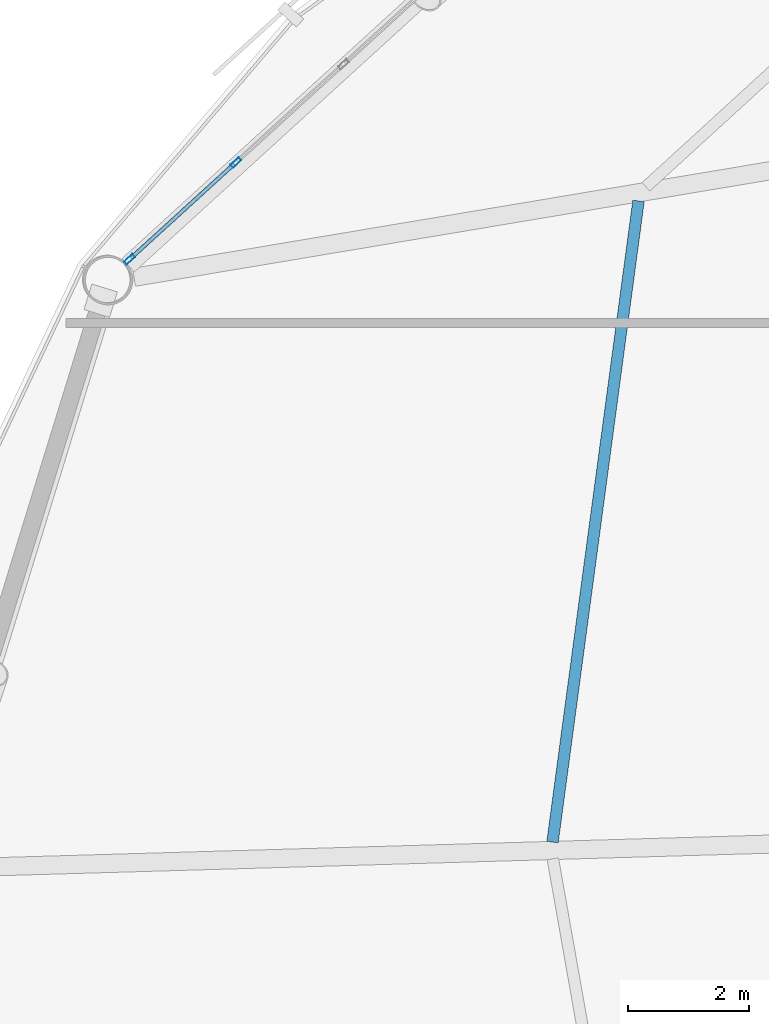
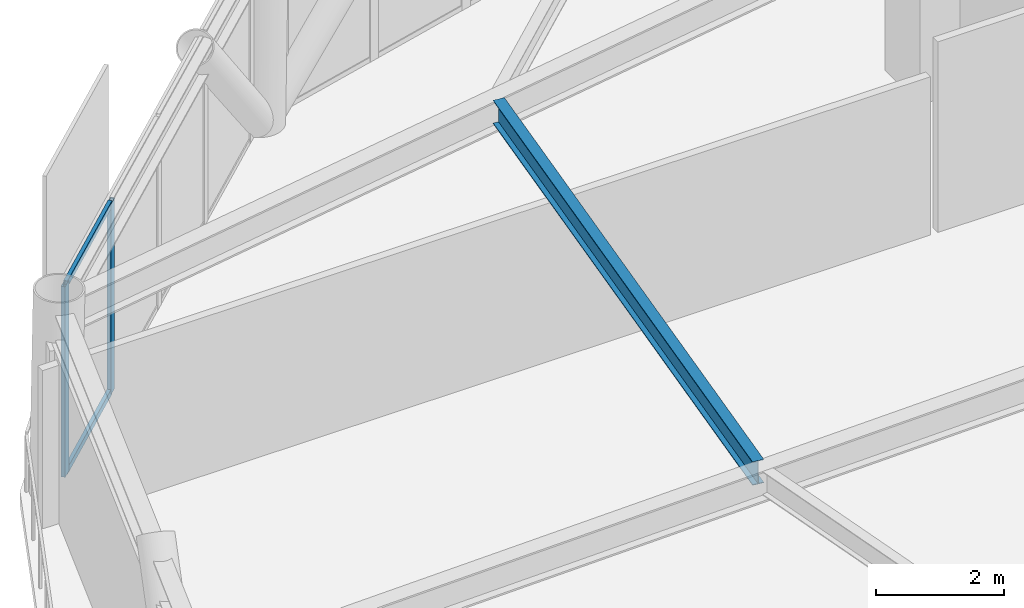
# One storey, part 10 of 24: 4 members, 1 beam, 1 element without a shape of its own.
"""IFC4 building model written with IfcOpenShell, lengths in metres."""

from ifc_helpers import new_model, si_unit, direction, frame, origin, origin_2d, place, context, subcontext, project, spatial, hollow_rectangle, i_section, extrude, material, layer, layer_set, material_profile, profile_set, type_object, element, aggregate, save


model = new_model("IFC4")

# Units and contexts
model_context = context("Model", 3, precision=1e-05, world=origin(), true_north=direction((0.0, 1.0)))
body_context = subcontext(model_context, "Body", "Model", "MODEL_VIEW")
ifc_project = project(units=[si_unit("LENGTHUNIT", "METRE"), si_unit("AREAUNIT", "SQUARE_METRE"), si_unit("VOLUMEUNIT", "CUBIC_METRE"), si_unit("PLANEANGLEUNIT", "RADIAN"), si_unit("MASSUNIT", "GRAM", prefix="KILO")], contexts=[model_context])

# Site, building, storey
site_placement = place(None, origin())
site = spatial("IfcSite", under=ifc_project, at=site_placement, CompositionType="ELEMENT")
building_placement = place(site_placement, origin())
building = spatial("IfcBuilding", under=site, at=building_placement, Name="Varnakorn Sky Granary", CompositionType="ELEMENT")
storey_placement = place(building_placement, frame((0.0, 0.0, 111.0)))
storey = spatial("IfcBuildingStorey", under=building, at=storey_placement, Name="L27", CompositionType="ELEMENT", Elevation=111.0)

# Beam
ifc_material_1 = material(Name="Steel S355JR", Category="steel")
ifc_material_profile_1 = material_profile(ifc_material_1, i_section(OverallWidth=0.18994140625, OverallDepth=0.449951171875, WebThickness=0.009521484375, FlangeThickness=0.0146484375, at=origin_2d()), Name="IPE 450")
ifc_profile_set_1 = profile_set([ifc_material_profile_1], Name="Steel S355JR")
beam_type = type_object("IfcBeamType", Name="BM-SEC-Z2", PredefinedType="BEAM", material=ifc_profile_set_1)
beam_placement = place(storey_placement, frame((-11.193359375, 11.014404296875, 3.4150390625), z_axis=(-0.132950459792, -0.991122684253, 0.0), x_axis=(0.991122684253, -0.132950459792, 0.0)))
element("IfcBeam", 1, at=beam_placement, inside=storey, type_object=beam_type, Name="Secondary Floor Chord Beam MSB06 L27", PredefinedType="BEAM", context=body_context, shape_type="SweptSolid", body=[
    extrude(i_section(OverallWidth=0.18994140625, OverallDepth=0.449951171875, WebThickness=0.009521484375, FlangeThickness=0.0146484375, at=origin_2d()), origin(), (0.0, 0.0, 1.0), 10.6708984375),
])

# Curtain wall, members
ifc_material_2 = material(Name="Anodised Bronze Aluminium Alloy 6063-T6", Category="aluminium")
ifc_layer = layer(ifc_material_2, 0.179931640625, Name="Anodised Bronze Aluminium Alloy 6063-T6")
ifc_layer_set = layer_set([ifc_layer], Name="Anodised Bronze Aluminium Alloy 6063-T6")
curtain_wall_type = type_object("IfcCurtainWallType", Name="CW-FRM-2", PredefinedType="USERDEFINED", material=ifc_layer_set)
curtain_wall_placement = place(storey_placement, origin())
curtain_wall = element("IfcCurtainWall", 2, at=curtain_wall_placement, inside=storey, type_object=curtain_wall_type, Name="Unitised Curtain Wall CW4 CW-L27-B05", ObjectType="CURTAIN WALL", PredefinedType="USERDEFINED")
ifc_material_profile_2 = material_profile(ifc_material_2, hollow_rectangle(XDim=0.070068359375, YDim=0.18505859375, WallThickness=0.00390625, at=origin_2d()), Name="ALU MULL 70x185")
ifc_profile_set_2 = profile_set([ifc_material_profile_2], Name="Anodised Bronze Aluminium Alloy 6063-T6")
member_type_1 = type_object("IfcMemberType", Name="CW-FRM-2-MULL", PredefinedType="MULLION", material=ifc_profile_set_2)
member_1_placement = place(storey_placement, frame((-19.588623046875, 10.052490234375, 0.0), z_axis=(0.0, 0.0, 1.0), x_axis=(-0.673654386152, 0.739046526287, 0.0)))
member_1 = element("IfcMember", 3, at=member_1_placement, type_object=member_type_1, Name="CW4 mullion 1", PredefinedType="MULLION", context=body_context, shape_type="SweptSolid", body=[
    extrude(hollow_rectangle(XDim=0.070068359375, YDim=0.18505859375, WallThickness=0.00390625, at=origin_2d()), origin(), (0.0, 0.0, 1.0), 3.639892578125),
])
member_2_placement = place(storey_placement, frame((-17.83642578125, 11.6494140625, 0.0), z_axis=(0.0, 0.0, 1.0), x_axis=(-0.673654386152, 0.739046526287, 0.0)))
member_2 = element("IfcMember", 4, at=member_2_placement, type_object=member_type_1, Name="CW4 mullion 2", PredefinedType="MULLION", context=body_context, shape_type="SweptSolid", body=[
    extrude(hollow_rectangle(XDim=0.070068359375, YDim=0.18505859375, WallThickness=0.00390625, at=origin_2d()), origin(), (0.0, 0.0, 1.0), 3.639892578125),
])
ifc_material_profile_3 = material_profile(ifc_material_2, hollow_rectangle(XDim=0.06494140625, YDim=0.1201171875, WallThickness=0.00341796875, at=origin_2d()), Name="ALU TRAN 65x120")
ifc_profile_set_3 = profile_set([ifc_material_profile_3], Name="Anodised Bronze Aluminium Alloy 6063-T6")
member_type_2 = type_object("IfcMemberType", Name="CW-FRM-2-TRAN", PredefinedType="USERDEFINED", material=ifc_profile_set_3)
member_3_placement = place(storey_placement, frame((-19.562744140625, 10.075927734375, 0.032470703125), z_axis=(0.739031973261, 0.673670351506, 0.0), x_axis=(-0.673670351506, 0.739031973261, 0.0)))
member_3 = element("IfcMember", 5, at=member_3_placement, type_object=member_type_2, Name="CW4 transom 1.1", ObjectType="TRANSOM", PredefinedType="USERDEFINED", context=body_context, shape_type="SweptSolid", body=[
    extrude(hollow_rectangle(XDim=0.06494140625, YDim=0.1201171875, WallThickness=0.00341796875, at=origin_2d()), origin(), (0.0, 0.0, 1.0), 2.30078125),
])
member_4_placement = place(storey_placement, frame((-19.562744140625, 10.075927734375, 3.607421875), z_axis=(0.739031973261, 0.673670351506, 0.0), x_axis=(-0.673670351506, 0.739031973261, 0.0)))
member_4 = element("IfcMember", 6, at=member_4_placement, type_object=member_type_2, Name="CW4 transom 1.2", ObjectType="TRANSOM", PredefinedType="USERDEFINED", context=body_context, shape_type="SweptSolid", body=[
    extrude(hollow_rectangle(XDim=0.06494140625, YDim=0.1201171875, WallThickness=0.00341796875, at=origin_2d()), origin(), (0.0, 0.0, 1.0), 2.30078125),
])
aggregate(curtain_wall, [member_1, member_2, member_3, member_4])

save(model, "model.ifc")
